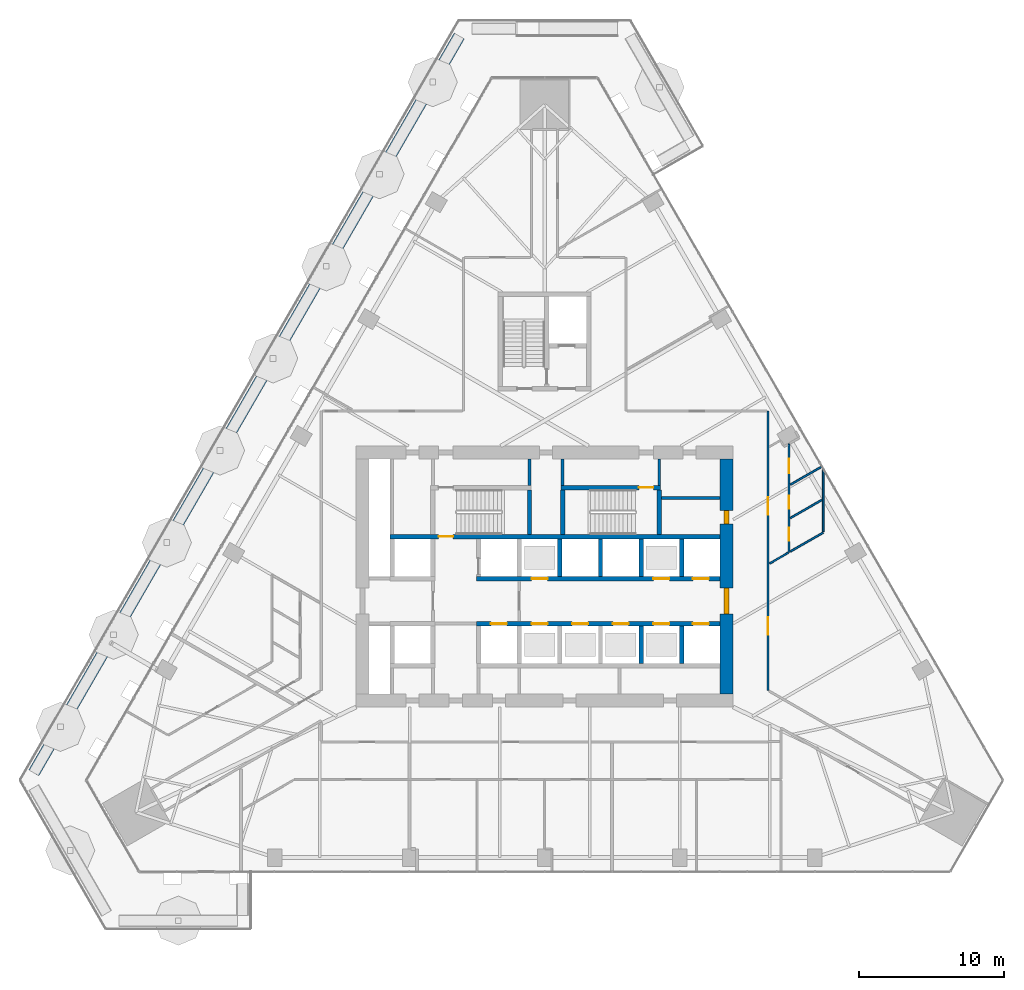
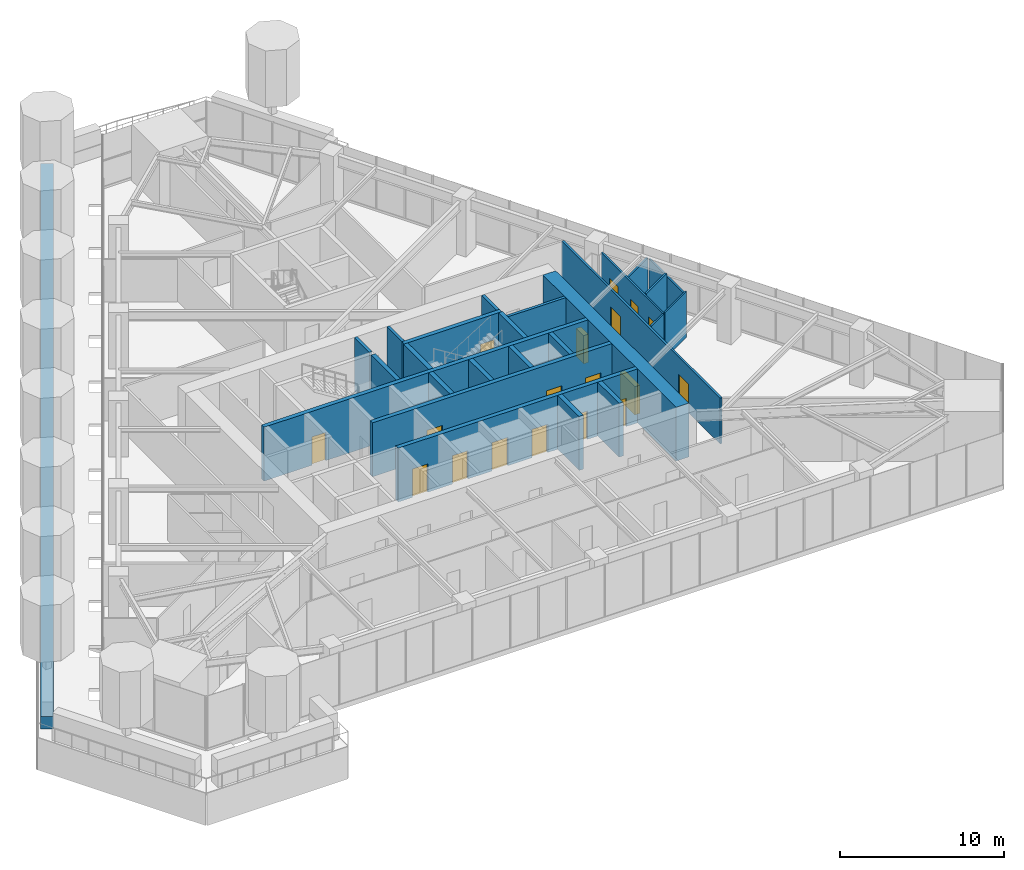
# One storey, part 19 of 25: 26 walls, 18 doors, 18 openings.
"""IFC4 building model written with IfcOpenShell, lengths in metres."""

from ifc_helpers import new_model, si_unit, direction, frame, frame_2d, origin, place, context, subcontext, project, spatial, rectangle, extrude, material, layer, layer_set, type_object, element, fill, save


model = new_model("IFC4")

# Units and contexts
model_context = context("Model", 3, precision=1e-05, world=origin(), true_north=direction((0.0, 1.0)))
body_context = subcontext(model_context, "Body", "Model", "MODEL_VIEW")
ifc_project = project(units=[si_unit("LENGTHUNIT", "METRE"), si_unit("AREAUNIT", "SQUARE_METRE"), si_unit("VOLUMEUNIT", "CUBIC_METRE"), si_unit("PLANEANGLEUNIT", "RADIAN"), si_unit("MASSUNIT", "GRAM", prefix="KILO")], contexts=[model_context])

# Site, building, storey
site_placement = place(None, origin())
site = spatial("IfcSite", under=ifc_project, at=site_placement, CompositionType="ELEMENT")
building_placement = place(site_placement, origin())
building = spatial("IfcBuilding", under=site, at=building_placement, Name="Firuza Gate Tower and Library", CompositionType="ELEMENT")
storey_placement = place(building_placement, frame((0.0, 0.0, 119.800048828125)))
storey = spatial("IfcBuildingStorey", under=building, at=storey_placement, Name="L27", CompositionType="ELEMENT", Elevation=119.800048828125)

# Walls
ifc_material_1 = material(Name="Plasterboard on steel studs", Category="steel")
ifc_layer_1 = layer(ifc_material_1, 0.199951171875)
ifc_layer_set_1 = layer_set([ifc_layer_1], Name="Core partition 200 EI 120")
wall_type_1 = type_object("IfcWallType", Name="Core partition 200 EI 120", PredefinedType="PARTITIONING", material=ifc_layer_set_1)
wall_1_placement = place(storey_placement, frame((83.050048828125, 80.425048828125, 0.0), z_axis=(0.0, 0.0, 1.0), x_axis=(1.0, 0.0, 0.0)))
element("IfcWall", 1, at=wall_1_placement, inside=storey, type_object=wall_type_1, Name="Core partition L27 4", PredefinedType="PARTITIONING", context=body_context, shape_type="SweptSolid", body=[
    extrude(rectangle(XDim=4.050048828125, YDim=0.199951171875, at=frame_2d((2.02490234375, 0.0))), origin(), (0.0, 0.0, 1.0), 4.0),
])
wall_2_placement = place(storey_placement, frame((82.89990234375, 81.280029296875, 0.0), z_axis=(0.0, 0.0, 1.0), x_axis=(0.0, 1.0, 0.0)))
element("IfcWall", 2, at=wall_2_placement, inside=storey, type_object=wall_type_1, Name="Core partition L27 16", PredefinedType="PARTITIONING", context=body_context, shape_type="SweptSolid", body=[
    extrude(rectangle(XDim=1.820068359375, YDim=0.199951171875, at=frame_2d((0.91015625, 0.0))), origin(), (0.0, 0.0, 1.0), 4.0),
])
ifc_material_2 = material(Name="Plasterboard on steel studs", Category="steel")
ifc_layer_2 = layer(ifc_material_2, 0.199951171875)
ifc_layer_set_2 = layer_set([ifc_layer_2], Name="Core partition 200 EI 60")
wall_type_2 = type_object("IfcWallType", Name="Core partition 200 EI 60", PredefinedType="PARTITIONING", material=ifc_layer_set_2)
for number, where, z_axis, x_axis, name in (
    (3, (73.9599609375, 81.280029296875, 0.0), (0.0, 0.0, 1.0), (0.0, 1.0, 0.0), "Core partition L27 13"),
    (4, (76.239990234375, 81.280029296875, 0.0), (0.0, 0.0, 1.0), (0.0, 1.0, 0.0), "Core partition L27 14"),
):
    element("IfcWall", number, at=place(storey_placement, frame(where, z_axis=z_axis, x_axis=x_axis)), inside=storey, type_object=wall_type_2, Name=name, PredefinedType="PARTITIONING", context=body_context, shape_type="SweptSolid", body=[
        extrude(rectangle(XDim=1.820068359375, YDim=0.199951171875, at=frame_2d((0.91015625, 0.0))), origin(), (0.0, 0.0, 1.0), 4.0),
    ])

# Wall, openings, doors
ifc_material_3 = material(Name="Concrete C80/95", Category="concrete")
ifc_layer_3 = layer(ifc_material_3, 0.300048828125)
ifc_layer_set_3 = layer_set([ifc_layer_3], Name="Core wall 300 C80/95")
wall_type_3 = type_object("IfcWallType", Name="Core wall 300 C80/95", PredefinedType="SHEAR", material=ifc_layer_set_3)
wall_3_placement = place(storey_placement, frame((70.300048828125, 71.75, 0.0), z_axis=(0.0, 0.0, 1.0), x_axis=(1.0, 0.0, 0.0)))
wall_3 = element("IfcWall", 5, at=wall_3_placement, inside=storey, type_object=wall_type_3, Name="Core wall L27 8", PredefinedType="SHEAR", context=body_context, shape_type="SweptSolid", body=[
    extrude(rectangle(XDim=16.800048828125, YDim=0.300048828125, at=frame_2d((8.39990234375, 0.0))), origin(), (0.0, 0.0, 1.0), 4.0),
])
opening_1_placement = place(wall_3_placement, frame((1.0, 0.0, 0.0)))
opening_1 = element("IfcOpeningElement", 6, at=opening_1_placement, cuts=wall_3, Name="Opening LD-FF1-L27", PredefinedType="OPENING", context=body_context, shape_type="SweptSolid", body=[
    extrude(rectangle(XDim=1.10009765625, YDim=2.10009765625, at=frame_2d((0.550048828125, 1.050048828125))), frame((0.0, 0.16015625, 0.0), z_axis=(0.0, -1.0, 0.0), x_axis=(1.0, 0.0, 0.0)), (0.0, 0.0, 1.0), 0.320068359375),
])
opening_2_placement = place(wall_3_placement, frame((3.800048828125, 0.0, 0.0)))
opening_2 = element("IfcOpeningElement", 7, at=opening_2_placement, cuts=wall_3, Name="Opening LD-LR1-L27", PredefinedType="OPENING", context=body_context, shape_type="SweptSolid", body=[
    extrude(rectangle(XDim=1.10009765625, YDim=2.10009765625, at=frame_2d((0.550048828125, 1.050048828125))), frame((0.0, 0.16015625, 0.0), z_axis=(0.0, -1.0, 0.0), x_axis=(1.0, 0.0, 0.0)), (0.0, 0.0, 1.0), 0.320068359375),
])
opening_3_placement = place(wall_3_placement, frame((6.60009765625, 0.0, 0.0)))
opening_3 = element("IfcOpeningElement", 8, at=opening_3_placement, cuts=wall_3, Name="Opening LD-LR2-L27", PredefinedType="OPENING", context=body_context, shape_type="SweptSolid", body=[
    extrude(rectangle(XDim=1.10009765625, YDim=2.10009765625, at=frame_2d((0.550048828125, 1.050048828125))), frame((0.0, 0.16015625, 0.0), z_axis=(0.0, -1.0, 0.0), x_axis=(1.0, 0.0, 0.0)), (0.0, 0.0, 1.0), 0.320068359375),
])
opening_4_placement = place(wall_3_placement, frame((9.39990234375, 0.0, 0.0)))
opening_4 = element("IfcOpeningElement", 9, at=opening_4_placement, cuts=wall_3, Name="Opening LD-LR3-L27", PredefinedType="OPENING", context=body_context, shape_type="SweptSolid", body=[
    extrude(rectangle(XDim=1.10009765625, YDim=2.10009765625, at=frame_2d((0.550048828125, 1.050048828125))), frame((0.0, 0.16015625, 0.0), z_axis=(0.0, -1.0, 0.0), x_axis=(1.0, 0.0, 0.0)), (0.0, 0.0, 1.0), 0.320068359375),
])
opening_5_placement = place(wall_3_placement, frame((12.199951171875, 0.0, 0.0)))
opening_5 = element("IfcOpeningElement", 10, at=opening_5_placement, cuts=wall_3, Name="Opening LD-LR5-L27", PredefinedType="OPENING", context=body_context, shape_type="SweptSolid", body=[
    extrude(rectangle(XDim=1.10009765625, YDim=2.10009765625, at=frame_2d((0.550048828125, 1.050048828125))), frame((0.0, 0.16015625, 0.0), z_axis=(0.0, -1.0, 0.0), x_axis=(1.0, 0.0, 0.0)), (0.0, 0.0, 1.0), 0.320068359375),
])
opening_6_placement = place(wall_3_placement, frame((14.925048828125, 0.0, 0.0)))
opening_6 = element("IfcOpeningElement", 11, at=opening_6_placement, cuts=wall_3, Name="Opening LD-LR7-L27", PredefinedType="OPENING", context=body_context, shape_type="SweptSolid", body=[
    extrude(rectangle(XDim=1.10009765625, YDim=2.10009765625, at=frame_2d((0.550048828125, 1.050048828125))), frame((0.0, 0.16015625, 0.0), z_axis=(0.0, -1.0, 0.0), x_axis=(1.0, 0.0, 0.0)), (0.0, 0.0, 1.0), 0.320068359375),
])
ifc_material_4 = material(Name="Stainless steel", Category="steel")
door_type_1 = type_object("IfcDoorType", Name="Lift landing door 1100x2100", OperationType="DOUBLE_DOOR_SLIDING", PredefinedType="DOOR", material=ifc_material_4)
door_1_placement = place(opening_1_placement, origin())
door_1 = element("IfcDoor", 12, at=door_1_placement, inside=storey, type_object=door_type_1, Name="Landing door FF1 L27", OperationType="DOUBLE_DOOR_SLIDING", OverallHeight=2.10009765625, OverallWidth=1.10009765625, PredefinedType="DOOR", context=body_context, shape_type="SweptSolid", body=[
    extrude(rectangle(XDim=1.10009765625, YDim=2.10009765625, at=frame_2d((0.550048828125, 1.050048828125))), frame((0.0, 0.02490234375, 0.0), z_axis=(0.0, -1.0, 0.0), x_axis=(1.0, 0.0, 0.0)), (0.0, 0.0, 1.0), 0.050048828125),
])
fill(opening_1, door_1)
door_2_placement = place(opening_2_placement, origin())
door_2 = element("IfcDoor", 13, at=door_2_placement, inside=storey, type_object=door_type_1, Name="Landing door LR1 L27", OperationType="DOUBLE_DOOR_SLIDING", OverallHeight=2.10009765625, OverallWidth=1.10009765625, PredefinedType="DOOR", context=body_context, shape_type="SweptSolid", body=[
    extrude(rectangle(XDim=1.10009765625, YDim=2.10009765625, at=frame_2d((0.550048828125, 1.050048828125))), frame((0.0, 0.02490234375, 0.0), z_axis=(0.0, -1.0, 0.0), x_axis=(1.0, 0.0, 0.0)), (0.0, 0.0, 1.0), 0.050048828125),
])
fill(opening_2, door_2)
door_3_placement = place(opening_3_placement, origin())
door_3 = element("IfcDoor", 14, at=door_3_placement, inside=storey, type_object=door_type_1, Name="Landing door LR2 L27", OperationType="DOUBLE_DOOR_SLIDING", OverallHeight=2.10009765625, OverallWidth=1.10009765625, PredefinedType="DOOR", context=body_context, shape_type="SweptSolid", body=[
    extrude(rectangle(XDim=1.10009765625, YDim=2.10009765625, at=frame_2d((0.550048828125, 1.050048828125))), frame((0.0, 0.02490234375, 0.0), z_axis=(0.0, -1.0, 0.0), x_axis=(1.0, 0.0, 0.0)), (0.0, 0.0, 1.0), 0.050048828125),
])
fill(opening_3, door_3)
door_4_placement = place(opening_4_placement, origin())
door_4 = element("IfcDoor", 15, at=door_4_placement, inside=storey, type_object=door_type_1, Name="Landing door LR3 L27", OperationType="DOUBLE_DOOR_SLIDING", OverallHeight=2.10009765625, OverallWidth=1.10009765625, PredefinedType="DOOR", context=body_context, shape_type="SweptSolid", body=[
    extrude(rectangle(XDim=1.10009765625, YDim=2.10009765625, at=frame_2d((0.550048828125, 1.050048828125))), frame((0.0, 0.02490234375, 0.0), z_axis=(0.0, -1.0, 0.0), x_axis=(1.0, 0.0, 0.0)), (0.0, 0.0, 1.0), 0.050048828125),
])
fill(opening_4, door_4)
door_5_placement = place(opening_5_placement, origin())
door_5 = element("IfcDoor", 16, at=door_5_placement, inside=storey, type_object=door_type_1, Name="Landing door LR5 L27", OperationType="DOUBLE_DOOR_SLIDING", OverallHeight=2.10009765625, OverallWidth=1.10009765625, PredefinedType="DOOR", context=body_context, shape_type="SweptSolid", body=[
    extrude(rectangle(XDim=1.10009765625, YDim=2.10009765625, at=frame_2d((0.550048828125, 1.050048828125))), frame((0.0, 0.02490234375, 0.0), z_axis=(0.0, -1.0, 0.0), x_axis=(1.0, 0.0, 0.0)), (0.0, 0.0, 1.0), 0.050048828125),
])
fill(opening_5, door_5)
door_6_placement = place(opening_6_placement, origin())
door_6 = element("IfcDoor", 17, at=door_6_placement, inside=storey, type_object=door_type_1, Name="Landing door LR7 L27", OperationType="DOUBLE_DOOR_SLIDING", OverallHeight=2.10009765625, OverallWidth=1.10009765625, PredefinedType="DOOR", context=body_context, shape_type="SweptSolid", body=[
    extrude(rectangle(XDim=1.10009765625, YDim=2.10009765625, at=frame_2d((0.550048828125, 1.050048828125))), frame((0.0, 0.02490234375, 0.0), z_axis=(0.0, -1.0, 0.0), x_axis=(1.0, 0.0, 0.0)), (0.0, 0.0, 1.0), 0.050048828125),
])
fill(opening_6, door_6)

wall_4_placement = place(storey_placement, frame((70.300048828125, 74.85009765625, 0.0), z_axis=(0.0, 0.0, 1.0), x_axis=(1.0, 0.0, 0.0)))
wall_4 = element("IfcWall", 18, at=wall_4_placement, inside=storey, type_object=wall_type_3, Name="Core wall L27 10", PredefinedType="SHEAR", context=body_context, shape_type="SweptSolid", body=[
    extrude(rectangle(XDim=16.800048828125, YDim=0.300048828125, at=frame_2d((8.39990234375, 0.0))), origin(), (0.0, 0.0, 1.0), 4.0),
])
opening_7_placement = place(wall_4_placement, frame((3.800048828125, 0.0, 0.0)))
opening_7 = element("IfcOpeningElement", 19, at=opening_7_placement, cuts=wall_4, Name="Opening LD-LR4-L27", PredefinedType="OPENING", context=body_context, shape_type="SweptSolid", body=[
    extrude(rectangle(XDim=1.10009765625, YDim=2.10009765625, at=frame_2d((0.550048828125, 1.050048828125))), frame((0.0, 0.16015625, 0.0), z_axis=(0.0, -1.0, 0.0), x_axis=(1.0, 0.0, 0.0)), (0.0, 0.0, 1.0), 0.320068359375),
])
opening_8_placement = place(wall_4_placement, frame((12.199951171875, 0.0, 0.0)))
opening_8 = element("IfcOpeningElement", 20, at=opening_8_placement, cuts=wall_4, Name="Opening LD-LR6-L27", PredefinedType="OPENING", context=body_context, shape_type="SweptSolid", body=[
    extrude(rectangle(XDim=1.10009765625, YDim=2.10009765625, at=frame_2d((0.550048828125, 1.050048828125))), frame((0.0, 0.16015625, 0.0), z_axis=(0.0, -1.0, 0.0), x_axis=(1.0, 0.0, 0.0)), (0.0, 0.0, 1.0), 0.320068359375),
])
opening_9_placement = place(wall_4_placement, frame((14.925048828125, 0.0, 0.0)))
opening_9 = element("IfcOpeningElement", 21, at=opening_9_placement, cuts=wall_4, Name="Opening LD-LR8-L27", PredefinedType="OPENING", context=body_context, shape_type="SweptSolid", body=[
    extrude(rectangle(XDim=1.10009765625, YDim=2.10009765625, at=frame_2d((0.550048828125, 1.050048828125))), frame((0.0, 0.16015625, 0.0), z_axis=(0.0, -1.0, 0.0), x_axis=(1.0, 0.0, 0.0)), (0.0, 0.0, 1.0), 0.320068359375),
])
door_7_placement = place(opening_7_placement, origin())
door_7 = element("IfcDoor", 22, at=door_7_placement, inside=storey, type_object=door_type_1, Name="Landing door LR4 L27", OperationType="DOUBLE_DOOR_SLIDING", OverallHeight=2.10009765625, OverallWidth=1.10009765625, PredefinedType="DOOR", context=body_context, shape_type="SweptSolid", body=[
    extrude(rectangle(XDim=1.10009765625, YDim=2.10009765625, at=frame_2d((0.550048828125, 1.050048828125))), frame((0.0, 0.02490234375, 0.0), z_axis=(0.0, -1.0, 0.0), x_axis=(1.0, 0.0, 0.0)), (0.0, 0.0, 1.0), 0.050048828125),
])
fill(opening_7, door_7)
door_8_placement = place(opening_8_placement, origin())
door_8 = element("IfcDoor", 23, at=door_8_placement, inside=storey, type_object=door_type_1, Name="Landing door LR6 L27", OperationType="DOUBLE_DOOR_SLIDING", OverallHeight=2.10009765625, OverallWidth=1.10009765625, PredefinedType="DOOR", context=body_context, shape_type="SweptSolid", body=[
    extrude(rectangle(XDim=1.10009765625, YDim=2.10009765625, at=frame_2d((0.550048828125, 1.050048828125))), frame((0.0, 0.02490234375, 0.0), z_axis=(0.0, -1.0, 0.0), x_axis=(1.0, 0.0, 0.0)), (0.0, 0.0, 1.0), 0.050048828125),
])
fill(opening_8, door_8)
door_9_placement = place(opening_9_placement, origin())
door_9 = element("IfcDoor", 24, at=door_9_placement, inside=storey, type_object=door_type_1, Name="Landing door LR8 L27", OperationType="DOUBLE_DOOR_SLIDING", OverallHeight=2.10009765625, OverallWidth=1.10009765625, PredefinedType="DOOR", context=body_context, shape_type="SweptSolid", body=[
    extrude(rectangle(XDim=1.10009765625, YDim=2.10009765625, at=frame_2d((0.550048828125, 1.050048828125))), frame((0.0, 0.02490234375, 0.0), z_axis=(0.0, -1.0, 0.0), x_axis=(1.0, 0.0, 0.0)), (0.0, 0.0, 1.0), 0.050048828125),
])
fill(opening_9, door_9)

# Walls
for number, where, z_axis, x_axis, name in (
    (25, (76.050048828125, 75.0, 0.0), (0.0, 0.0, 1.0), (0.0, 1.0, 0.0), "Core wall L27 20"),
    (26, (78.85009765625, 75.0, 0.0), (0.0, 0.0, 1.0), (0.0, 1.0, 0.0), "Core wall L27 22"),
    (27, (81.64990234375, 69.0, 0.0), (0.0, 0.0, 1.0), (0.0, 1.0, 0.0), "Core wall L27 23"),
    (28, (81.64990234375, 75.0, 0.0), (0.0, 0.0, 1.0), (0.0, 1.0, 0.0), "Core wall L27 24"),
    (29, (84.449951171875, 69.0, 0.0), (0.0, 0.0, 1.0), (0.0, 1.0, 0.0), "Core wall L27 25"),
    (30, (84.449951171875, 75.0, 0.0), (0.0, 0.0, 1.0), (0.0, 1.0, 0.0), "Core wall L27 26"),
):
    element("IfcWall", number, at=place(storey_placement, frame(where, z_axis=z_axis, x_axis=x_axis)), inside=storey, type_object=wall_type_3, Name=name, PredefinedType="SHEAR", context=body_context, shape_type="SweptSolid", body=[
        extrude(rectangle(XDim=2.60009765625, YDim=0.300048828125, at=frame_2d((1.300048828125, 0.0))), origin(), (0.0, 0.0, 1.0), 4.0),
    ])

# Wall, opening, door
wall_5_placement = place(storey_placement, frame((64.35009765625, 77.75, 0.0), z_axis=(0.0, 0.0, 1.0), x_axis=(1.0, 0.0, 0.0)))
wall_5 = element("IfcWall", 31, at=wall_5_placement, inside=storey, type_object=wall_type_3, Name="Core wall L27 27", PredefinedType="SHEAR", context=body_context, shape_type="SweptSolid", body=[
    extrude(rectangle(XDim=22.75, YDim=0.300048828125, at=frame_2d((11.375, 0.0))), origin(), (0.0, 0.0, 1.0), 4.0),
])
opening_10_placement = place(wall_5_placement, frame((3.344970703125, 0.0, 0.0)))
opening_10 = element("IfcOpeningElement", 32, at=opening_10_placement, cuts=wall_5, Name="Opening L27-K12", PredefinedType="OPENING", context=body_context, shape_type="SweptSolid", body=[
    extrude(rectangle(XDim=1.0, YDim=2.10009765625, at=frame_2d((0.5, 1.050048828125))), frame((0.0, 0.16015625, 0.0), z_axis=(0.0, -1.0, 0.0), x_axis=(1.0, 0.0, 0.0)), (0.0, 0.0, 1.0), 0.320068359375),
])
ifc_material_5 = material(Name="Steel", Category="steel")
door_type_2 = type_object("IfcDoorType", Name="Fire door 1000x2100 FD90", OperationType="NOTDEFINED", PredefinedType="DOOR", material=ifc_material_5)
door_10_placement = place(opening_10_placement, origin())
door_10 = element("IfcDoor", 33, at=door_10_placement, inside=storey, type_object=door_type_2, Name="Door L27-K12", OperationType="SINGLE_SWING_LEFT", OverallHeight=2.10009765625, OverallWidth=1.0, PredefinedType="DOOR", context=body_context, shape_type="SweptSolid", body=[
    extrude(rectangle(XDim=1.0, YDim=2.10009765625, at=frame_2d((0.5, 1.050048828125))), frame((0.0, 0.02490234375, 0.0), z_axis=(0.0, -1.0, 0.0), x_axis=(1.0, 0.0, 0.0)), (0.0, 0.0, 1.0), 0.050048828125),
])
fill(opening_10, door_10)

wall_6_placement = place(storey_placement, frame((76.139892578125, 81.1298828125, 0.0), z_axis=(0.0, 0.0, 1.0), x_axis=(1.0, 0.0, 0.0)))
wall_6 = element("IfcWall", 34, at=wall_6_placement, inside=storey, type_object=wall_type_3, Name="Core wall L27 29", PredefinedType="SHEAR", context=body_context, shape_type="SweptSolid", body=[
    extrude(rectangle(XDim=6.860107421875, YDim=0.300048828125, at=frame_2d((3.43017578125, 0.0))), origin(), (0.0, 0.0, 1.0), 4.0),
])
opening_11_placement = place(wall_6_placement, frame((5.364990234375, 0.0, 0.0)))
opening_11 = element("IfcOpeningElement", 35, at=opening_11_placement, cuts=wall_6, Name="Opening L27-K15", PredefinedType="OPENING", context=body_context, shape_type="SweptSolid", body=[
    extrude(rectangle(XDim=1.0, YDim=2.10009765625, at=frame_2d((0.5, 1.050048828125))), frame((0.0, 0.16015625, 0.0), z_axis=(0.0, -1.0, 0.0), x_axis=(1.0, 0.0, 0.0)), (0.0, 0.0, 1.0), 0.320068359375),
])
door_11_placement = place(opening_11_placement, origin())
door_11 = element("IfcDoor", 36, at=door_11_placement, inside=storey, type_object=door_type_2, Name="Door L27-K15", OperationType="SINGLE_SWING_RIGHT", OverallHeight=2.10009765625, OverallWidth=1.0, PredefinedType="DOOR", context=body_context, shape_type="SweptSolid", body=[
    extrude(rectangle(XDim=1.0, YDim=2.10009765625, at=frame_2d((0.5, 1.050048828125))), frame((0.0, 0.02490234375, 0.0), z_axis=(0.0, -1.0, 0.0), x_axis=(1.0, 0.0, 0.0)), (0.0, 0.0, 1.0), 0.050048828125),
])
fill(opening_11, door_11)

# Walls
for number, where, z_axis, x_axis, name in (
    (37, (73.9599609375, 77.89990234375, 0.0), (0.0, 0.0, 1.0), (0.0, 1.0, 0.0), "Core wall L27 31"),
    (38, (76.239990234375, 77.89990234375, 0.0), (0.0, 0.0, 1.0), (0.0, 1.0, 0.0), "Core wall L27 32"),
    (39, (82.89990234375, 77.89990234375, 0.0), (0.0, 0.0, 1.0), (0.0, 1.0, 0.0), "Core wall L27 33"),
):
    element("IfcWall", number, at=place(storey_placement, frame(where, z_axis=z_axis, x_axis=x_axis)), inside=storey, type_object=wall_type_3, Name=name, PredefinedType="SHEAR", context=body_context, shape_type="SweptSolid", body=[
        extrude(rectangle(XDim=3.080078125, YDim=0.300048828125, at=frame_2d((1.5400390625, 0.0))), origin(), (0.0, 0.0, 1.0), 4.0),
    ])

# Wall, openings, doors
ifc_material_6 = material(Name="Concrete C80/95", Category="concrete")
ifc_layer_4 = layer(ifc_material_6, 0.89990234375)
ifc_layer_set_4 = layer_set([ifc_layer_4], Name="Core wall 900 C80/95")
wall_type_4 = type_object("IfcWallType", Name="Core wall 900 C80/95", PredefinedType="SHEAR", material=ifc_layer_set_4)
wall_7_placement = place(storey_placement, frame((87.550048828125, 66.89990234375, 0.0), z_axis=(0.0, 0.0, 1.0), x_axis=(0.0, 1.0, 0.0)))
wall_7 = element("IfcWall", 40, at=wall_7_placement, inside=storey, type_object=wall_type_4, Name="Core wall L27 4", PredefinedType="SHEAR", context=body_context, shape_type="SweptSolid", body=[
    extrude(rectangle(XDim=16.2001953125, YDim=0.89990234375, at=frame_2d((8.10009765625, 0.0))), origin(), (0.0, 0.0, 1.0), 4.0),
])
opening_12_placement = place(wall_7_placement, frame((5.5, 0.0, 0.0)))
opening_12 = element("IfcOpeningElement", 41, at=opening_12_placement, cuts=wall_7, Name="Opening L27-K23", PredefinedType="OPENING", context=body_context, shape_type="SweptSolid", body=[
    extrude(rectangle(XDim=1.800048828125, YDim=2.10009765625, at=frame_2d((0.89990234375, 1.050048828125))), frame((0.0, 0.4599609375, 0.0), z_axis=(0.0, -1.0, 0.0), x_axis=(1.0, 0.0, 0.0)), (0.0, 0.0, 1.0), 0.919921875),
])
opening_13_placement = place(wall_7_placement, frame((11.737548828125, 0.0, 0.0)))
opening_13 = element("IfcOpeningElement", 42, at=opening_13_placement, cuts=wall_7, Name="Opening L27-K31", PredefinedType="OPENING", context=body_context, shape_type="SweptSolid", body=[
    extrude(rectangle(XDim=0.89990234375, YDim=2.10009765625, at=frame_2d((0.449951171875, 1.050048828125))), frame((0.0, 0.4599609375, 0.0), z_axis=(0.0, -1.0, 0.0), x_axis=(1.0, 0.0, 0.0)), (0.0, 0.0, 1.0), 0.919921875),
])
ifc_material_7 = material(Name="Steel", Category="steel")
door_type_3 = type_object("IfcDoorType", Name="Fire door 1800x2100 FD30S", OperationType="NOTDEFINED", PredefinedType="DOOR", material=ifc_material_7)
door_12_placement = place(opening_12_placement, origin())
door_12 = element("IfcDoor", 43, at=door_12_placement, inside=storey, type_object=door_type_3, Name="Door L27-K23", OperationType="SINGLE_SWING_RIGHT", OverallHeight=2.10009765625, OverallWidth=1.800048828125, PredefinedType="DOOR", context=body_context, shape_type="SweptSolid", body=[
    extrude(rectangle(XDim=1.800048828125, YDim=2.10009765625, at=frame_2d((0.89990234375, 1.050048828125))), frame((0.0, 0.169921875, 0.0), z_axis=(0.0, -1.0, 0.0), x_axis=(1.0, 0.0, 0.0)), (0.0, 0.0, 1.0), 0.33984375),
])
fill(opening_12, door_12)
ifc_material_8 = material(Name="Steel", Category="steel")
door_type_4 = type_object("IfcDoorType", Name="Fire door 900x2100 FD30S", OperationType="NOTDEFINED", PredefinedType="DOOR", material=ifc_material_8)
door_13_placement = place(opening_13_placement, origin())
door_13 = element("IfcDoor", 44, at=door_13_placement, inside=storey, type_object=door_type_4, Name="Door L27-K31", OperationType="SINGLE_SWING_RIGHT", OverallHeight=2.10009765625, OverallWidth=0.89990234375, PredefinedType="DOOR", context=body_context, shape_type="SweptSolid", body=[
    extrude(rectangle(XDim=0.89990234375, YDim=2.10009765625, at=frame_2d((0.449951171875, 1.050048828125))), frame((0.0, 0.169921875, 0.0), z_axis=(0.0, -1.0, 0.0), x_axis=(1.0, 0.0, 0.0)), (0.0, 0.0, 1.0), 0.33984375),
])
fill(opening_13, door_13)

ifc_material_9 = material(Name="Gypsum board partition")
ifc_layer_5 = layer(ifc_material_9, 0.14990234375)
ifc_layer_set_5 = layer_set([ifc_layer_5], Name="Corridor wall 150 double board on steel studs")
wall_type_5 = type_object("IfcWallType", Name="Corridor wall 150 double board on steel studs", PredefinedType="PARTITIONING", material=ifc_layer_set_5)
wall_8_placement = place(storey_placement, frame((90.39990234375, 86.3994140625, 0.0), z_axis=(0.0, 0.0, 1.0), x_axis=(0.0, -1.0, 0.0)))
wall_8 = element("IfcWall", 45, at=wall_8_placement, inside=storey, type_object=wall_type_5, Name="f:L27:w029", PredefinedType="PARTITIONING", context=body_context, shape_type="SweptSolid", body=[
    extrude(rectangle(XDim=19.25146484375, YDim=0.14990234375, at=frame_2d((9.625732421875, 0.0))), origin(), (0.0, 0.0, 1.0), 3.39990234375),
])
opening_14_placement = place(wall_8_placement, frame((5.937255859375, 0.0, 0.0)))
opening_14 = element("IfcOpeningElement", 46, at=opening_14_placement, cuts=wall_8, Name="Opening L27-22", PredefinedType="OPENING", context=body_context, shape_type="SweptSolid", body=[
    extrude(rectangle(XDim=1.199951171875, YDim=2.10009765625, at=frame_2d((0.60009765625, 1.050048828125))), frame((0.0, 0.0849609375, 0.0), z_axis=(0.0, -1.0, 0.0), x_axis=(1.0, 0.0, 0.0)), (0.0, 0.0, 1.0), 0.169921875),
])
opening_15_placement = place(wall_8_placement, frame((14.207275390625, 0.0, 0.0)))
opening_15 = element("IfcOpeningElement", 47, at=opening_15_placement, cuts=wall_8, Name="Opening L27-23", PredefinedType="OPENING", context=body_context, shape_type="SweptSolid", body=[
    extrude(rectangle(XDim=1.199951171875, YDim=2.10009765625, at=frame_2d((0.60009765625, 1.050048828125))), frame((0.0, 0.0849609375, 0.0), z_axis=(0.0, -1.0, 0.0), x_axis=(1.0, 0.0, 0.0)), (0.0, 0.0, 1.0), 0.169921875),
])
ifc_material_10 = material(Name="Steel door and timber leaf", Category="steel")
door_type_5 = type_object("IfcDoorType", Name="Fire door 1200 x 2100 steel frame, double leaf", OperationType="NOTDEFINED", PredefinedType="DOOR", material=ifc_material_10)
door_14_placement = place(opening_14_placement, origin())
door_14 = element("IfcDoor", 48, at=door_14_placement, inside=storey, type_object=door_type_5, Name="f:L27:d022", OperationType="DOUBLE_DOOR_SINGLE_SWING", OverallHeight=2.10009765625, OverallWidth=1.199951171875, PredefinedType="DOOR", context=body_context, shape_type="SweptSolid", body=[
    extrude(rectangle(XDim=1.199951171875, YDim=2.10009765625, at=frame_2d((0.60009765625, 1.050048828125))), frame((0.0, 0.02490234375, 0.0), z_axis=(0.0, -1.0, 0.0), x_axis=(1.0, 0.0, 0.0)), (0.0, 0.0, 1.0), 0.050048828125),
])
fill(opening_14, door_14)
door_15_placement = place(opening_15_placement, origin())
door_15 = element("IfcDoor", 49, at=door_15_placement, inside=storey, type_object=door_type_5, Name="f:L27:d023", OperationType="DOUBLE_DOOR_SINGLE_SWING", OverallHeight=2.10009765625, OverallWidth=1.199951171875, PredefinedType="DOOR", context=body_context, shape_type="SweptSolid", body=[
    extrude(rectangle(XDim=1.199951171875, YDim=2.10009765625, at=frame_2d((0.60009765625, 1.050048828125))), frame((0.0, 0.02490234375, 0.0), z_axis=(0.0, -1.0, 0.0), x_axis=(1.0, 0.0, 0.0)), (0.0, 0.0, 1.0), 0.050048828125),
])
fill(opening_15, door_15)

# Walls
ifc_material_11 = material(Name="Concrete C40/50", Category="concrete")
ifc_layer_6 = layer(ifc_material_11, 0.800048828125)
ifc_layer_set_6 = layer_set([ifc_layer_6], Name="Planter wall 800")
wall_type_6 = type_object("IfcWallType", Name="Planter wall 800", PredefinedType="SOLIDWALL", material=ifc_layer_set_6)
wall_9_placement = place(storey_placement, frame((69.116943359375, 112.2578125, 0.0), z_axis=(0.0, 0.0, 1.0), x_axis=(-0.500000992643, -0.866024830681, 0.0)))
element("IfcWall", 50, at=wall_9_placement, inside=storey, type_object=wall_type_6, Name="PLANTER L27 4", PredefinedType="SOLIDWALL", context=body_context, shape_type="SweptSolid", body=[
    extrude(rectangle(XDim=58.6494140625, YDim=0.800048828125, at=frame_2d((29.32470703125, 0.0))), origin(), (0.0, 0.0, 1.0), 0.89990234375),
])
ifc_material_12 = material(Name="Gypsum board partition")
ifc_layer_7 = layer(ifc_material_12, 0.1201171875)
ifc_layer_set_7 = layer_set([ifc_layer_7], Name="Wet-area partition 120 moisture-resistant board")
wall_type_7 = type_object("IfcWallType", Name="Wet-area partition 120 moisture-resistant board", PredefinedType="PARTITIONING", material=ifc_layer_set_7)
wall_10_placement = place(storey_placement, frame((90.509765625, 75.89599609375, 0.0), z_axis=(0.0, 0.0, 1.0), x_axis=(0.866055123991, 0.49994851956, 0.0)))
element("IfcWall", 51, at=wall_10_placement, inside=storey, type_object=wall_type_7, Name="f:L27:w010", PredefinedType="PARTITIONING", context=body_context, shape_type="SweptSolid", body=[
    extrude(rectangle(XDim=1.495849609375, YDim=0.1201171875, at=frame_2d((0.748046875, 0.0))), origin(), (0.0, 0.0, 1.0), 3.39990234375),
])
wall_11_placement = place(storey_placement, frame((91.944580078125, 79.02685546875, 0.0), z_axis=(0.0, 0.0, 1.0), x_axis=(0.86603079437, 0.499990663115, 0.0)))
element("IfcWall", 52, at=wall_11_placement, inside=storey, type_object=wall_type_7, Name="f:L27:w011", PredefinedType="PARTITIONING", context=body_context, shape_type="SweptSolid", body=[
    extrude(rectangle(XDim=2.4951171875, YDim=0.1201171875, at=frame_2d((1.24755859375, 0.0))), origin(), (0.0, 0.0, 1.0), 3.39990234375),
])
wall_12_placement = place(storey_placement, frame((91.944580078125, 81.329345703125, 0.0), z_axis=(0.0, 0.0, 1.0), x_axis=(0.866024239756, 0.50000201615, 0.0)))
element("IfcWall", 53, at=wall_12_placement, inside=storey, type_object=wall_type_7, Name="f:L27:w013", PredefinedType="PARTITIONING", context=body_context, shape_type="SweptSolid", body=[
    extrude(rectangle(XDim=2.49462890625, YDim=0.1201171875, at=frame_2d((1.247314453125, 0.0))), origin(), (0.0, 0.0, 1.0), 3.1650390625),
])
wall_13_placement = place(storey_placement, frame((94.199951171875, 78.095947265625, 0.0), z_axis=(0.0, 0.0, 1.0), x_axis=(0.0, 1.0, 0.0)))
element("IfcWall", 54, at=wall_13_placement, inside=storey, type_object=wall_type_7, Name="f:L27:w026", PredefinedType="PARTITIONING", context=body_context, shape_type="SweptSolid", body=[
    extrude(rectangle(XDim=4.316162109375, YDim=0.1201171875, at=frame_2d((2.158203125, 0.0))), origin(), (0.0, 0.0, 1.0), 3.1650390625),
])

# Wall, openings, doors
wall_14_placement = place(storey_placement, frame((91.85009765625, 76.669921875, 0.0), z_axis=(0.0, 0.0, 1.0), x_axis=(0.0, 1.0, 0.0)))
wall_14 = element("IfcWall", 55, at=wall_14_placement, inside=storey, type_object=wall_type_7, Name="f:L27:w027", PredefinedType="PARTITIONING", context=body_context, shape_type="SweptSolid", body=[
    extrude(rectangle(XDim=7.481201171875, YDim=0.1201171875, at=frame_2d((3.74072265625, 0.0))), origin(), (0.0, 0.0, 1.0), 3.39990234375),
])
opening_16_placement = place(wall_14_placement, frame((0.802978515625, 0.0, 0.0)))
opening_16 = element("IfcOpeningElement", 56, at=opening_16_placement, cuts=wall_14, Name="Opening L27-19", PredefinedType="OPENING", context=body_context, shape_type="SweptSolid", body=[
    extrude(rectangle(XDim=0.89990234375, YDim=2.10009765625, at=frame_2d((0.449951171875, 1.050048828125))), frame((0.0, 0.070068359375, 0.0), z_axis=(0.0, -1.0, 0.0), x_axis=(1.0, 0.0, 0.0)), (0.0, 0.0, 1.0), 0.14013671875),
])
opening_17_placement = place(wall_14_placement, frame((3.00390625, 0.0, 0.0)))
opening_17 = element("IfcOpeningElement", 57, at=opening_17_placement, cuts=wall_14, Name="Opening L27-20", PredefinedType="OPENING", context=body_context, shape_type="SweptSolid", body=[
    extrude(rectangle(XDim=0.89990234375, YDim=2.10009765625, at=frame_2d((0.449951171875, 1.050048828125))), frame((0.0, 0.070068359375, 0.0), z_axis=(0.0, -1.0, 0.0), x_axis=(1.0, 0.0, 0.0)), (0.0, 0.0, 1.0), 0.14013671875),
])
opening_18_placement = place(wall_14_placement, frame((5.44140625, 0.0, 0.0)))
opening_18 = element("IfcOpeningElement", 58, at=opening_18_placement, cuts=wall_14, Name="Opening L27-21", PredefinedType="OPENING", context=body_context, shape_type="SweptSolid", body=[
    extrude(rectangle(XDim=1.0, YDim=2.10009765625, at=frame_2d((0.5, 1.050048828125))), frame((0.0, 0.070068359375, 0.0), z_axis=(0.0, -1.0, 0.0), x_axis=(1.0, 0.0, 0.0)), (0.0, 0.0, 1.0), 0.14013671875),
])
ifc_material_13 = material(Name="Timber door", Category="wood")
door_type_6 = type_object("IfcDoorType", Name="Door 1000 x 2100 timber leaf", OperationType="NOTDEFINED", PredefinedType="DOOR", material=ifc_material_13)
door_16_placement = place(opening_18_placement, origin())
door_16 = element("IfcDoor", 59, at=door_16_placement, inside=storey, type_object=door_type_6, Name="f:L27:d021", OperationType="SINGLE_SWING_LEFT", OverallHeight=2.10009765625, OverallWidth=1.0, PredefinedType="DOOR", context=body_context, shape_type="SweptSolid", body=[
    extrude(rectangle(XDim=1.0, YDim=2.10009765625, at=frame_2d((0.5, 1.050048828125))), frame((0.0, 0.02490234375, 0.0), z_axis=(0.0, -1.0, 0.0), x_axis=(1.0, 0.0, 0.0)), (0.0, 0.0, 1.0), 0.050048828125),
])
fill(opening_18, door_16)
ifc_material_14 = material(Name="Timber door", Category="wood")
door_type_7 = type_object("IfcDoorType", Name="Door 900 x 2100 timber leaf", OperationType="NOTDEFINED", PredefinedType="DOOR", material=ifc_material_14)
door_17_placement = place(opening_16_placement, origin())
door_17 = element("IfcDoor", 60, at=door_17_placement, inside=storey, type_object=door_type_7, Name="f:L27:d019", OperationType="SINGLE_SWING_LEFT", OverallHeight=2.10009765625, OverallWidth=0.89990234375, PredefinedType="DOOR", context=body_context, shape_type="SweptSolid", body=[
    extrude(rectangle(XDim=0.89990234375, YDim=2.10009765625, at=frame_2d((0.449951171875, 1.050048828125))), frame((0.0, 0.02490234375, 0.0), z_axis=(0.0, -1.0, 0.0), x_axis=(1.0, 0.0, 0.0)), (0.0, 0.0, 1.0), 0.050048828125),
])
fill(opening_16, door_17)
door_18_placement = place(opening_17_placement, origin())
door_18 = element("IfcDoor", 61, at=door_18_placement, inside=storey, type_object=door_type_7, Name="f:L27:d020", OperationType="SINGLE_SWING_RIGHT", OverallHeight=2.10009765625, OverallWidth=0.89990234375, PredefinedType="DOOR", context=body_context, shape_type="SweptSolid", body=[
    extrude(rectangle(XDim=0.89990234375, YDim=2.10009765625, at=frame_2d((0.449951171875, 1.050048828125))), frame((0.0, 0.02490234375, 0.0), z_axis=(0.0, -1.0, 0.0), x_axis=(1.0, 0.0, 0.0)), (0.0, 0.0, 1.0), 0.050048828125),
])
fill(opening_17, door_18)

# Wall
wall_15_placement = place(storey_placement, frame((91.93994140625, 76.7216796875, 0.0), z_axis=(0.0, 0.0, 1.0), x_axis=(0.866006422342, 0.500032875382, 0.0)))
element("IfcWall", 62, at=wall_15_placement, inside=storey, type_object=wall_type_7, Name="f:L27:w063", PredefinedType="PARTITIONING", context=body_context, shape_type="SweptSolid", body=[
    extrude(rectangle(XDim=2.609619140625, YDim=0.1201171875, at=frame_2d((1.3046875, 0.0))), origin(), (0.0, 0.0, 1.0), 3.39990234375),
])

save(model, "model.ifc")
